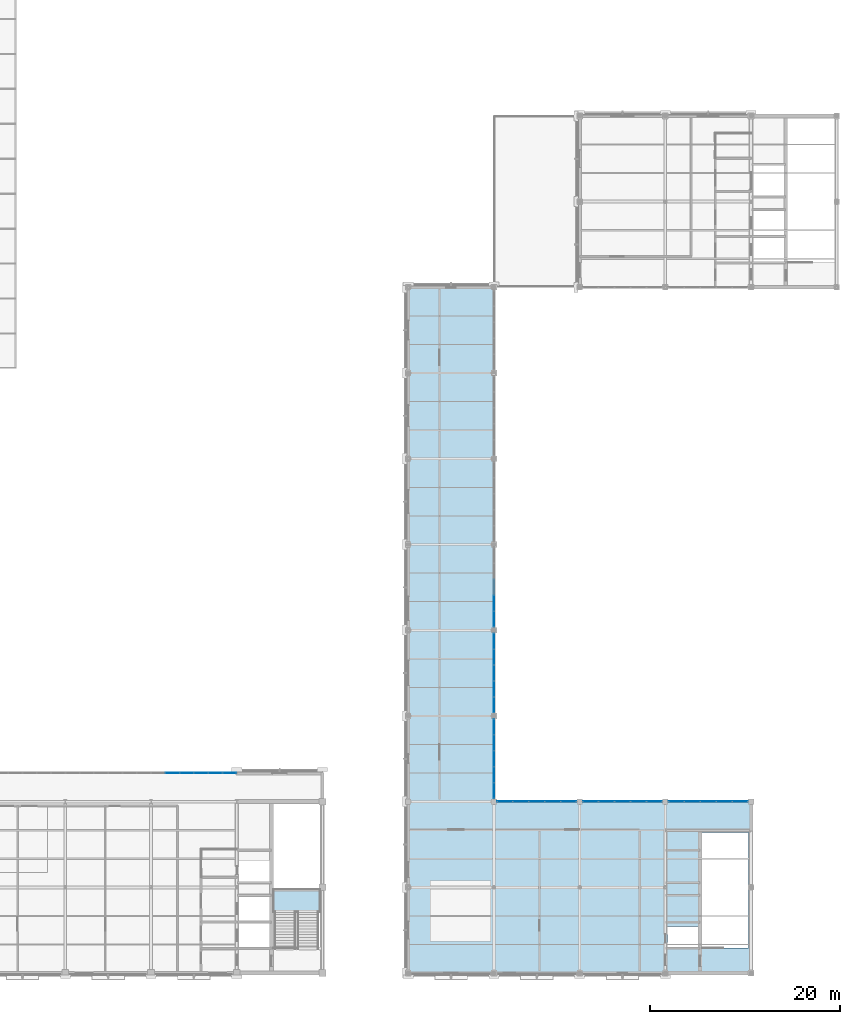
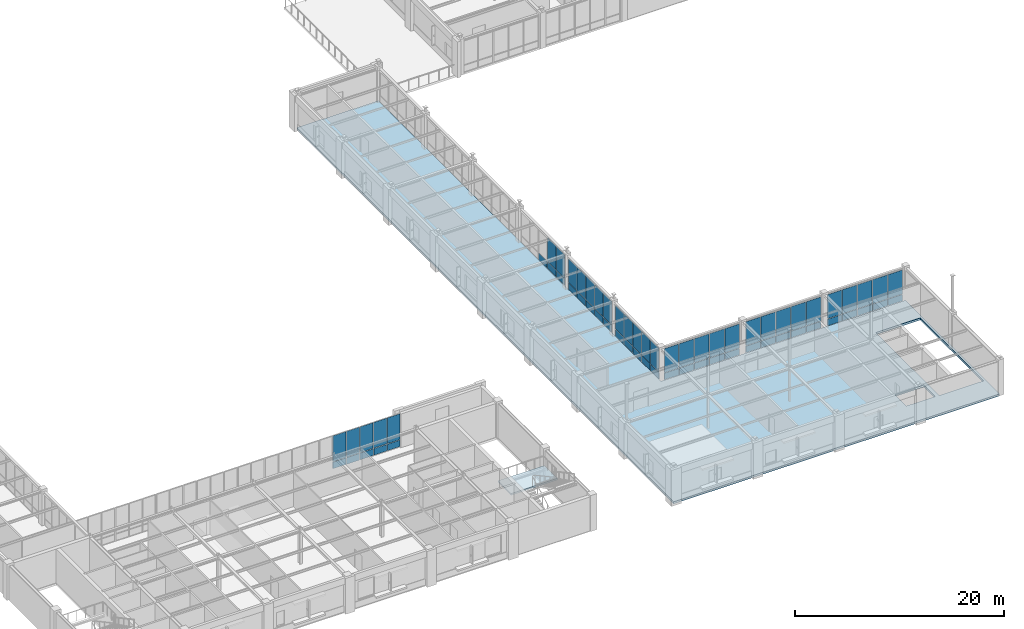
# One storey, part 74 of 97: 65 plates, 2 slabs, 1 opening, 8 elements without a shape of their own.
"""IFC4 building model written with IfcOpenShell, lengths in metres."""

from ifc_helpers import new_model, si_unit, direction, frame, origin, origin_2d, place, context, subcontext, project, spatial, polyline, rectangle, outline, extrude, material, layer, layer_set, type_object, element, aggregate, save


model = new_model("IFC4")

# Units and contexts
model_context = context("Model", 3, precision=1e-05, world=origin(), true_north=direction((0.0, 1.0)))
body_context = subcontext(model_context, "Body", "Model", "MODEL_VIEW")
ifc_project = project(units=[si_unit("LENGTHUNIT", "METRE"), si_unit("AREAUNIT", "SQUARE_METRE"), si_unit("VOLUMEUNIT", "CUBIC_METRE"), si_unit("PLANEANGLEUNIT", "RADIAN"), si_unit("MASSUNIT", "GRAM", prefix="KILO")], contexts=[model_context])

# Site, building, storey
site_placement = place(None, origin())
site = spatial("IfcSite", under=ifc_project, at=site_placement, CompositionType="ELEMENT")
building_placement = place(site_placement, origin())
building = spatial("IfcBuilding", under=site, at=building_placement, Name="Lykobir Media Centre", CompositionType="ELEMENT")
storey_placement = place(building_placement, frame((0.0, 0.0, 23.39990234375)))
storey = spatial("IfcBuildingStorey", under=building, at=storey_placement, Name="L05", CompositionType="ELEMENT", Elevation=23.39990234375)

# Curtain wall, plates
ifc_material_1 = material(Name="Anodized Aluminium AW-6060", Category="aluminium")
curtain_wall_type = type_object("IfcCurtainWallType", Name="CW-COURT-B", PredefinedType="NOTDEFINED", material=ifc_material_1)
curtain_wall_1_placement = place(storey_placement, origin())
curtain_wall_1 = element("IfcCurtainWall", 1, at=curtain_wall_1_placement, inside=storey, type_object=curtain_wall_type, Name="Curtain wall CW2-L05-0181", PredefinedType="NOTDEFINED")
ifc_material_2 = material(Name="Low-E Laminated Triple Glazing", Category="glass")
ifc_layer_1 = layer(ifc_material_2, 0.0380859375, Name="Low-E Laminated Triple Glazing")
ifc_layer_set_1 = layer_set([ifc_layer_1], Name="Low-E Laminated Triple Glazing")
plate_type_1 = type_object("IfcPlateType", Name="CWP-GLZ-38", PredefinedType="CURTAIN_PANEL", material=ifc_layer_set_1)
plate_1_placement = place(storey_placement, frame((99.0, 25.84228515625, 0.877685546875), z_axis=(0.0, 0.0, 1.0), x_axis=(0.0, -1.0, 0.0)))
plate_1 = element("IfcPlate", 2, at=plate_1_placement, type_object=plate_type_1, Name="CW2-L05-0181 panel 1.2", PredefinedType="CURTAIN_PANEL", context=body_context, shape_type="SweptSolid", body=[
    extrude(rectangle(XDim=1.595458984375, YDim=0.0380859375, at=origin_2d()), origin(), (0.0, 0.0, 1.0), 2.762451171875),
])
plate_2_placement = place(storey_placement, frame((99.0, 24.177978515625, 0.877685546875), z_axis=(0.0, 0.0, 1.0), x_axis=(0.0, -1.0, 0.0)))
plate_2 = element("IfcPlate", 3, at=plate_2_placement, type_object=plate_type_1, Name="CW2-L05-0181 panel 2.2", PredefinedType="CURTAIN_PANEL", context=body_context, shape_type="SweptSolid", body=[
    extrude(rectangle(XDim=1.623046875, YDim=0.0380859375, at=origin_2d()), origin(), (0.0, 0.0, 1.0), 2.762451171875),
])
plate_3_placement = place(storey_placement, frame((99.0, 22.5, 0.877685546875), z_axis=(0.0, 0.0, 1.0), x_axis=(0.0, -1.0, 0.0)))
plate_3 = element("IfcPlate", 4, at=plate_3_placement, type_object=plate_type_1, Name="CW2-L05-0181 panel 3.2", PredefinedType="CURTAIN_PANEL", context=body_context, shape_type="SweptSolid", body=[
    extrude(rectangle(XDim=1.623046875, YDim=0.0380859375, at=origin_2d()), origin(), (0.0, 0.0, 1.0), 2.762451171875),
])
plate_4_placement = place(storey_placement, frame((99.0, 20.822021484375, 0.877685546875), z_axis=(0.0, 0.0, 1.0), x_axis=(0.0, -1.0, 0.0)))
plate_4 = element("IfcPlate", 5, at=plate_4_placement, type_object=plate_type_1, Name="CW2-L05-0181 panel 4.2", PredefinedType="CURTAIN_PANEL", context=body_context, shape_type="SweptSolid", body=[
    extrude(rectangle(XDim=1.623046875, YDim=0.0380859375, at=origin_2d()), origin(), (0.0, 0.0, 1.0), 2.762451171875),
])
plate_5_placement = place(storey_placement, frame((99.0, 19.15771484375, 0.877685546875), z_axis=(0.0, 0.0, 1.0), x_axis=(0.0, -1.0, 0.0)))
plate_5 = element("IfcPlate", 6, at=plate_5_placement, type_object=plate_type_1, Name="CW2-L05-0181 panel 5.2", PredefinedType="CURTAIN_PANEL", context=body_context, shape_type="SweptSolid", body=[
    extrude(rectangle(XDim=1.595458984375, YDim=0.0380859375, at=origin_2d()), origin(), (0.0, 0.0, 1.0), 2.762451171875),
])

curtain_wall_2_placement = place(storey_placement, origin())
curtain_wall_2 = element("IfcCurtainWall", 7, at=curtain_wall_2_placement, inside=storey, type_object=curtain_wall_type, Name="Curtain wall CW2-L05-0182", PredefinedType="NOTDEFINED")
plate_6_placement = place(storey_placement, frame((99.0, 34.84228515625, 0.877685546875), z_axis=(0.0, 0.0, 1.0), x_axis=(0.0, -1.0, 0.0)))
plate_6 = element("IfcPlate", 8, at=plate_6_placement, type_object=plate_type_1, Name="CW2-L05-0182 panel 1.2", PredefinedType="CURTAIN_PANEL", context=body_context, shape_type="SweptSolid", body=[
    extrude(rectangle(XDim=1.595458984375, YDim=0.0380859375, at=origin_2d()), origin(), (0.0, 0.0, 1.0), 2.762451171875),
])
plate_7_placement = place(storey_placement, frame((99.0, 33.177978515625, 0.877685546875), z_axis=(0.0, 0.0, 1.0), x_axis=(0.0, -1.0, 0.0)))
plate_7 = element("IfcPlate", 9, at=plate_7_placement, type_object=plate_type_1, Name="CW2-L05-0182 panel 2.2", PredefinedType="CURTAIN_PANEL", context=body_context, shape_type="SweptSolid", body=[
    extrude(rectangle(XDim=1.623046875, YDim=0.0380859375, at=origin_2d()), origin(), (0.0, 0.0, 1.0), 2.762451171875),
])
plate_8_placement = place(storey_placement, frame((99.0, 31.5, 0.877685546875), z_axis=(0.0, 0.0, 1.0), x_axis=(0.0, -1.0, 0.0)))
plate_8 = element("IfcPlate", 10, at=plate_8_placement, type_object=plate_type_1, Name="CW2-L05-0182 panel 3.2", PredefinedType="CURTAIN_PANEL", context=body_context, shape_type="SweptSolid", body=[
    extrude(rectangle(XDim=1.623046875, YDim=0.0380859375, at=origin_2d()), origin(), (0.0, 0.0, 1.0), 2.762451171875),
])
plate_9_placement = place(storey_placement, frame((99.0, 29.822021484375, 0.877685546875), z_axis=(0.0, 0.0, 1.0), x_axis=(0.0, -1.0, 0.0)))
plate_9 = element("IfcPlate", 11, at=plate_9_placement, type_object=plate_type_1, Name="CW2-L05-0182 panel 4.2", PredefinedType="CURTAIN_PANEL", context=body_context, shape_type="SweptSolid", body=[
    extrude(rectangle(XDim=1.623046875, YDim=0.0380859375, at=origin_2d()), origin(), (0.0, 0.0, 1.0), 2.762451171875),
])
plate_10_placement = place(storey_placement, frame((99.0, 28.15771484375, 0.877685546875), z_axis=(0.0, 0.0, 1.0), x_axis=(0.0, -1.0, 0.0)))
plate_10 = element("IfcPlate", 12, at=plate_10_placement, type_object=plate_type_1, Name="CW2-L05-0182 panel 5.2", PredefinedType="CURTAIN_PANEL", context=body_context, shape_type="SweptSolid", body=[
    extrude(rectangle(XDim=1.595458984375, YDim=0.0380859375, at=origin_2d()), origin(), (0.0, 0.0, 1.0), 2.762451171875),
])

curtain_wall_3_placement = place(storey_placement, origin())
curtain_wall_3 = element("IfcCurtainWall", 13, at=curtain_wall_3_placement, inside=storey, type_object=curtain_wall_type, Name="Curtain wall CW2-L05-0183", PredefinedType="NOTDEFINED")
plate_11_placement = place(storey_placement, frame((99.0, 38.822021484375, 0.877685546875), z_axis=(0.0, 0.0, 1.0), x_axis=(0.0, -1.0, 0.0)))
plate_11 = element("IfcPlate", 14, at=plate_11_placement, type_object=plate_type_1, Name="CW2-L05-0183 panel 4.2", PredefinedType="CURTAIN_PANEL", context=body_context, shape_type="SweptSolid", body=[
    extrude(rectangle(XDim=1.623046875, YDim=0.0380859375, at=origin_2d()), origin(), (0.0, 0.0, 1.0), 2.762451171875),
])
plate_12_placement = place(storey_placement, frame((99.0, 37.15771484375, 0.877685546875), z_axis=(0.0, 0.0, 1.0), x_axis=(0.0, -1.0, 0.0)))
plate_12 = element("IfcPlate", 15, at=plate_12_placement, type_object=plate_type_1, Name="CW2-L05-0183 panel 5.2", PredefinedType="CURTAIN_PANEL", context=body_context, shape_type="SweptSolid", body=[
    extrude(rectangle(XDim=1.595458984375, YDim=0.0380859375, at=origin_2d()), origin(), (0.0, 0.0, 1.0), 2.762451171875),
])

curtain_wall_4_placement = place(storey_placement, origin())
curtain_wall_4 = element("IfcCurtainWall", 16, at=curtain_wall_4_placement, inside=storey, type_object=curtain_wall_type, Name="Curtain wall CW2-L05-0187", PredefinedType="NOTDEFINED")
plate_13_placement = place(storey_placement, frame((100.15771484375, 18.0, 0.877685546875), z_axis=(0.0, 0.0, 1.0), x_axis=(1.0, 0.0, 0.0)))
plate_13 = element("IfcPlate", 17, at=plate_13_placement, type_object=plate_type_1, Name="CW2-L05-0187 panel 1.2", PredefinedType="CURTAIN_PANEL", context=body_context, shape_type="SweptSolid", body=[
    extrude(rectangle(XDim=1.595458984375, YDim=0.0380859375, at=origin_2d()), origin(), (0.0, 0.0, 1.0), 2.802490234375),
])
plate_14_placement = place(storey_placement, frame((101.822021484375, 18.0, 0.877685546875), z_axis=(0.0, 0.0, 1.0), x_axis=(1.0, 0.0, 0.0)))
plate_14 = element("IfcPlate", 18, at=plate_14_placement, type_object=plate_type_1, Name="CW2-L05-0187 panel 2.2", PredefinedType="CURTAIN_PANEL", context=body_context, shape_type="SweptSolid", body=[
    extrude(rectangle(XDim=1.623046875, YDim=0.0380859375, at=origin_2d()), origin(), (0.0, 0.0, 1.0), 2.802490234375),
])
plate_15_placement = place(storey_placement, frame((103.5, 18.0, 0.877685546875), z_axis=(0.0, 0.0, 1.0), x_axis=(1.0, 0.0, 0.0)))
plate_15 = element("IfcPlate", 19, at=plate_15_placement, type_object=plate_type_1, Name="CW2-L05-0187 panel 3.2", PredefinedType="CURTAIN_PANEL", context=body_context, shape_type="SweptSolid", body=[
    extrude(rectangle(XDim=1.623046875, YDim=0.0380859375, at=origin_2d()), origin(), (0.0, 0.0, 1.0), 2.802490234375),
])
plate_16_placement = place(storey_placement, frame((105.177978515625, 18.0, 0.877685546875), z_axis=(0.0, 0.0, 1.0), x_axis=(1.0, 0.0, 0.0)))
plate_16 = element("IfcPlate", 20, at=plate_16_placement, type_object=plate_type_1, Name="CW2-L05-0187 panel 4.2", PredefinedType="CURTAIN_PANEL", context=body_context, shape_type="SweptSolid", body=[
    extrude(rectangle(XDim=1.623046875, YDim=0.0380859375, at=origin_2d()), origin(), (0.0, 0.0, 1.0), 2.802490234375),
])
plate_17_placement = place(storey_placement, frame((106.84228515625, 18.0, 0.877685546875), z_axis=(0.0, 0.0, 1.0), x_axis=(1.0, 0.0, 0.0)))
plate_17 = element("IfcPlate", 21, at=plate_17_placement, type_object=plate_type_1, Name="CW2-L05-0187 panel 5.2", PredefinedType="CURTAIN_PANEL", context=body_context, shape_type="SweptSolid", body=[
    extrude(rectangle(XDim=1.595458984375, YDim=0.0380859375, at=origin_2d()), origin(), (0.0, 0.0, 1.0), 2.802490234375),
])

curtain_wall_5_placement = place(storey_placement, origin())
curtain_wall_5 = element("IfcCurtainWall", 22, at=curtain_wall_5_placement, inside=storey, type_object=curtain_wall_type, Name="Curtain wall CW2-L05-0188", PredefinedType="NOTDEFINED")
plate_18_placement = place(storey_placement, frame((109.15771484375, 18.0, 0.877685546875), z_axis=(0.0, 0.0, 1.0), x_axis=(1.0, 0.0, 0.0)))
plate_18 = element("IfcPlate", 23, at=plate_18_placement, type_object=plate_type_1, Name="CW2-L05-0188 panel 1.2", PredefinedType="CURTAIN_PANEL", context=body_context, shape_type="SweptSolid", body=[
    extrude(rectangle(XDim=1.595458984375, YDim=0.0380859375, at=origin_2d()), origin(), (0.0, 0.0, 1.0), 2.802490234375),
])
plate_19_placement = place(storey_placement, frame((110.822021484375, 18.0, 0.877685546875), z_axis=(0.0, 0.0, 1.0), x_axis=(1.0, 0.0, 0.0)))
plate_19 = element("IfcPlate", 24, at=plate_19_placement, type_object=plate_type_1, Name="CW2-L05-0188 panel 2.2", PredefinedType="CURTAIN_PANEL", context=body_context, shape_type="SweptSolid", body=[
    extrude(rectangle(XDim=1.623046875, YDim=0.0380859375, at=origin_2d()), origin(), (0.0, 0.0, 1.0), 2.802490234375),
])
plate_20_placement = place(storey_placement, frame((112.5, 18.0, 0.877685546875), z_axis=(0.0, 0.0, 1.0), x_axis=(1.0, 0.0, 0.0)))
plate_20 = element("IfcPlate", 25, at=plate_20_placement, type_object=plate_type_1, Name="CW2-L05-0188 panel 3.2", PredefinedType="CURTAIN_PANEL", context=body_context, shape_type="SweptSolid", body=[
    extrude(rectangle(XDim=1.623046875, YDim=0.0380859375, at=origin_2d()), origin(), (0.0, 0.0, 1.0), 2.802490234375),
])
plate_21_placement = place(storey_placement, frame((114.177978515625, 18.0, 0.877685546875), z_axis=(0.0, 0.0, 1.0), x_axis=(1.0, 0.0, 0.0)))
plate_21 = element("IfcPlate", 26, at=plate_21_placement, type_object=plate_type_1, Name="CW2-L05-0188 panel 4.2", PredefinedType="CURTAIN_PANEL", context=body_context, shape_type="SweptSolid", body=[
    extrude(rectangle(XDim=1.623046875, YDim=0.0380859375, at=origin_2d()), origin(), (0.0, 0.0, 1.0), 2.802490234375),
])
plate_22_placement = place(storey_placement, frame((115.84228515625, 18.0, 0.877685546875), z_axis=(0.0, 0.0, 1.0), x_axis=(1.0, 0.0, 0.0)))
plate_22 = element("IfcPlate", 27, at=plate_22_placement, type_object=plate_type_1, Name="CW2-L05-0188 panel 5.2", PredefinedType="CURTAIN_PANEL", context=body_context, shape_type="SweptSolid", body=[
    extrude(rectangle(XDim=1.595458984375, YDim=0.0380859375, at=origin_2d()), origin(), (0.0, 0.0, 1.0), 2.802490234375),
])

curtain_wall_6_placement = place(storey_placement, origin())
curtain_wall_6 = element("IfcCurtainWall", 28, at=curtain_wall_6_placement, inside=storey, type_object=curtain_wall_type, Name="Curtain wall CW2-L05-0189", PredefinedType="NOTDEFINED")
plate_23_placement = place(storey_placement, frame((118.15771484375, 18.0, 0.877685546875), z_axis=(0.0, 0.0, 1.0), x_axis=(1.0, 0.0, 0.0)))
plate_23 = element("IfcPlate", 29, at=plate_23_placement, type_object=plate_type_1, Name="CW2-L05-0189 panel 1.2", PredefinedType="CURTAIN_PANEL", context=body_context, shape_type="SweptSolid", body=[
    extrude(rectangle(XDim=1.595458984375, YDim=0.0380859375, at=origin_2d()), origin(), (0.0, 0.0, 1.0), 2.802490234375),
])
plate_24_placement = place(storey_placement, frame((119.822021484375, 18.0, 0.877685546875), z_axis=(0.0, 0.0, 1.0), x_axis=(1.0, 0.0, 0.0)))
plate_24 = element("IfcPlate", 30, at=plate_24_placement, type_object=plate_type_1, Name="CW2-L05-0189 panel 2.2", PredefinedType="CURTAIN_PANEL", context=body_context, shape_type="SweptSolid", body=[
    extrude(rectangle(XDim=1.623046875, YDim=0.0380859375, at=origin_2d()), origin(), (0.0, 0.0, 1.0), 2.802490234375),
])
plate_25_placement = place(storey_placement, frame((121.5, 18.0, 0.877685546875), z_axis=(0.0, 0.0, 1.0), x_axis=(1.0, 0.0, 0.0)))
plate_25 = element("IfcPlate", 31, at=plate_25_placement, type_object=plate_type_1, Name="CW2-L05-0189 panel 3.2", PredefinedType="CURTAIN_PANEL", context=body_context, shape_type="SweptSolid", body=[
    extrude(rectangle(XDim=1.623046875, YDim=0.0380859375, at=origin_2d()), origin(), (0.0, 0.0, 1.0), 2.802490234375),
])
plate_26_placement = place(storey_placement, frame((123.177978515625, 18.0, 0.877685546875), z_axis=(0.0, 0.0, 1.0), x_axis=(1.0, 0.0, 0.0)))
plate_26 = element("IfcPlate", 32, at=plate_26_placement, type_object=plate_type_1, Name="CW2-L05-0189 panel 4.2", PredefinedType="CURTAIN_PANEL", context=body_context, shape_type="SweptSolid", body=[
    extrude(rectangle(XDim=1.623046875, YDim=0.0380859375, at=origin_2d()), origin(), (0.0, 0.0, 1.0), 2.802490234375),
])
plate_27_placement = place(storey_placement, frame((124.84228515625, 18.0, 0.877685546875), z_axis=(0.0, 0.0, 1.0), x_axis=(1.0, 0.0, 0.0)))
plate_27 = element("IfcPlate", 33, at=plate_27_placement, type_object=plate_type_1, Name="CW2-L05-0189 panel 5.2", PredefinedType="CURTAIN_PANEL", context=body_context, shape_type="SweptSolid", body=[
    extrude(rectangle(XDim=1.595458984375, YDim=0.0380859375, at=origin_2d()), origin(), (0.0, 0.0, 1.0), 2.802490234375),
])

curtain_wall_7_placement = place(storey_placement, origin())
curtain_wall_7 = element("IfcCurtainWall", 34, at=curtain_wall_7_placement, inside=storey, type_object=curtain_wall_type, Name="Curtain wall CW2-L05-0193", PredefinedType="NOTDEFINED")
plate_28_placement = place(storey_placement, frame((65.25, 21.0, 0.877685546875), z_axis=(0.0, 0.0, 1.0), x_axis=(1.0, 0.0, 0.0)))
plate_28 = element("IfcPlate", 35, at=plate_28_placement, type_object=plate_type_1, Name="CW2-L05-0193 panel 2.2", PredefinedType="CURTAIN_PANEL", context=body_context, shape_type="SweptSolid", body=[
    extrude(rectangle(XDim=1.445068359375, YDim=0.0380859375, at=origin_2d()), origin(), (0.0, 0.0, 1.0), 3.007568359375),
])
plate_29_placement = place(storey_placement, frame((66.75, 21.0, 0.877685546875), z_axis=(0.0, 0.0, 1.0), x_axis=(1.0, 0.0, 0.0)))
plate_29 = element("IfcPlate", 36, at=plate_29_placement, type_object=plate_type_1, Name="CW2-L05-0193 panel 3.2", PredefinedType="CURTAIN_PANEL", context=body_context, shape_type="SweptSolid", body=[
    extrude(rectangle(XDim=1.445068359375, YDim=0.0380859375, at=origin_2d()), origin(), (0.0, 0.0, 1.0), 3.007568359375),
])
plate_30_placement = place(storey_placement, frame((68.25, 21.0, 0.877685546875), z_axis=(0.0, 0.0, 1.0), x_axis=(1.0, 0.0, 0.0)))
plate_30 = element("IfcPlate", 37, at=plate_30_placement, type_object=plate_type_1, Name="CW2-L05-0193 panel 4.2", PredefinedType="CURTAIN_PANEL", context=body_context, shape_type="SweptSolid", body=[
    extrude(rectangle(XDim=1.445068359375, YDim=0.0380859375, at=origin_2d()), origin(), (0.0, 0.0, 1.0), 3.007568359375),
])
plate_31_placement = place(storey_placement, frame((69.75, 21.0, 0.877685546875), z_axis=(0.0, 0.0, 1.0), x_axis=(1.0, 0.0, 0.0)))
plate_31 = element("IfcPlate", 38, at=plate_31_placement, type_object=plate_type_1, Name="CW2-L05-0193 panel 5.2", PredefinedType="CURTAIN_PANEL", context=body_context, shape_type="SweptSolid", body=[
    extrude(rectangle(XDim=1.445068359375, YDim=0.0380859375, at=origin_2d()), origin(), (0.0, 0.0, 1.0), 3.007568359375),
])
plate_32_placement = place(storey_placement, frame((71.236083984375, 21.0, 0.877685546875), z_axis=(0.0, 0.0, 1.0), x_axis=(1.0, 0.0, 0.0)))
plate_32 = element("IfcPlate", 39, at=plate_32_placement, type_object=plate_type_1, Name="CW2-L05-0193 panel 6.2", PredefinedType="CURTAIN_PANEL", context=body_context, shape_type="SweptSolid", body=[
    extrude(rectangle(XDim=1.41748046875, YDim=0.0380859375, at=origin_2d()), origin(), (0.0, 0.0, 1.0), 3.007568359375),
])

# Plate
ifc_material_3 = material(Name="Pre-Weathered Titanium-Zinc", Category="metal")
ifc_layer_2 = layer(ifc_material_3, 0.052001953125, Name="Pre-Weathered Titanium-Zinc")
ifc_layer_set_2 = layer_set([ifc_layer_2], Name="Pre-Weathered Titanium-Zinc")
plate_type_2 = type_object("IfcPlateType", Name="CWP-SPN-52", PredefinedType="CURTAIN_PANEL", material=ifc_layer_set_2)
plate_33_placement = place(storey_placement, frame((99.0, 25.84228515625, 0.05517578125), z_axis=(0.0, 0.0, 1.0), x_axis=(0.0, -1.0, 0.0)))
plate_33 = element("IfcPlate", 40, at=plate_33_placement, type_object=plate_type_2, Name="CW2-L05-0181 panel 1.1", PredefinedType="CURTAIN_PANEL", context=body_context, shape_type="SweptSolid", body=[
    extrude(rectangle(XDim=1.595458984375, YDim=0.052001953125, at=origin_2d()), origin(), (0.0, 0.0, 1.0), 0.767578125),
])

plate_34_placement = place(storey_placement, frame((99.0, 24.177978515625, 0.05517578125), z_axis=(0.0, 0.0, 1.0), x_axis=(0.0, -1.0, 0.0)))
plate_34 = element("IfcPlate", 41, at=plate_34_placement, type_object=plate_type_2, Name="CW2-L05-0181 panel 2.1", PredefinedType="CURTAIN_PANEL", context=body_context, shape_type="SweptSolid", body=[
    extrude(rectangle(XDim=1.623046875, YDim=0.052001953125, at=origin_2d()), origin(), (0.0, 0.0, 1.0), 0.767578125),
])

plate_35_placement = place(storey_placement, frame((99.0, 22.5, 0.05517578125), z_axis=(0.0, 0.0, 1.0), x_axis=(0.0, -1.0, 0.0)))
plate_35 = element("IfcPlate", 42, at=plate_35_placement, type_object=plate_type_2, Name="CW2-L05-0181 panel 3.1", PredefinedType="CURTAIN_PANEL", context=body_context, shape_type="SweptSolid", body=[
    extrude(rectangle(XDim=1.623046875, YDim=0.052001953125, at=origin_2d()), origin(), (0.0, 0.0, 1.0), 0.767578125),
])

plate_36_placement = place(storey_placement, frame((99.0, 20.822021484375, 0.05517578125), z_axis=(0.0, 0.0, 1.0), x_axis=(0.0, -1.0, 0.0)))
plate_36 = element("IfcPlate", 43, at=plate_36_placement, type_object=plate_type_2, Name="CW2-L05-0181 panel 4.1", PredefinedType="CURTAIN_PANEL", context=body_context, shape_type="SweptSolid", body=[
    extrude(rectangle(XDim=1.623046875, YDim=0.052001953125, at=origin_2d()), origin(), (0.0, 0.0, 1.0), 0.767578125),
])

plate_37_placement = place(storey_placement, frame((99.0, 19.15771484375, 0.05517578125), z_axis=(0.0, 0.0, 1.0), x_axis=(0.0, -1.0, 0.0)))
plate_37 = element("IfcPlate", 44, at=plate_37_placement, type_object=plate_type_2, Name="CW2-L05-0181 panel 5.1", PredefinedType="CURTAIN_PANEL", context=body_context, shape_type="SweptSolid", body=[
    extrude(rectangle(XDim=1.595458984375, YDim=0.052001953125, at=origin_2d()), origin(), (0.0, 0.0, 1.0), 0.767578125),
])

aggregate(curtain_wall_1, [plate_33, plate_1, plate_34, plate_2, plate_35, plate_3, plate_36, plate_4, plate_37, plate_5])

plate_38_placement = place(storey_placement, frame((99.0, 34.84228515625, 0.05517578125), z_axis=(0.0, 0.0, 1.0), x_axis=(0.0, -1.0, 0.0)))
plate_38 = element("IfcPlate", 45, at=plate_38_placement, type_object=plate_type_2, Name="CW2-L05-0182 panel 1.1", PredefinedType="CURTAIN_PANEL", context=body_context, shape_type="SweptSolid", body=[
    extrude(rectangle(XDim=1.595458984375, YDim=0.052001953125, at=origin_2d()), origin(), (0.0, 0.0, 1.0), 0.767578125),
])

plate_39_placement = place(storey_placement, frame((99.0, 33.177978515625, 0.05517578125), z_axis=(0.0, 0.0, 1.0), x_axis=(0.0, -1.0, 0.0)))
plate_39 = element("IfcPlate", 46, at=plate_39_placement, type_object=plate_type_2, Name="CW2-L05-0182 panel 2.1", PredefinedType="CURTAIN_PANEL", context=body_context, shape_type="SweptSolid", body=[
    extrude(rectangle(XDim=1.623046875, YDim=0.052001953125, at=origin_2d()), origin(), (0.0, 0.0, 1.0), 0.767578125),
])

plate_40_placement = place(storey_placement, frame((99.0, 31.5, 0.05517578125), z_axis=(0.0, 0.0, 1.0), x_axis=(0.0, -1.0, 0.0)))
plate_40 = element("IfcPlate", 47, at=plate_40_placement, type_object=plate_type_2, Name="CW2-L05-0182 panel 3.1", PredefinedType="CURTAIN_PANEL", context=body_context, shape_type="SweptSolid", body=[
    extrude(rectangle(XDim=1.623046875, YDim=0.052001953125, at=origin_2d()), origin(), (0.0, 0.0, 1.0), 0.767578125),
])

plate_41_placement = place(storey_placement, frame((99.0, 29.822021484375, 0.05517578125), z_axis=(0.0, 0.0, 1.0), x_axis=(0.0, -1.0, 0.0)))
plate_41 = element("IfcPlate", 48, at=plate_41_placement, type_object=plate_type_2, Name="CW2-L05-0182 panel 4.1", PredefinedType="CURTAIN_PANEL", context=body_context, shape_type="SweptSolid", body=[
    extrude(rectangle(XDim=1.623046875, YDim=0.052001953125, at=origin_2d()), origin(), (0.0, 0.0, 1.0), 0.767578125),
])

plate_42_placement = place(storey_placement, frame((99.0, 28.15771484375, 0.05517578125), z_axis=(0.0, 0.0, 1.0), x_axis=(0.0, -1.0, 0.0)))
plate_42 = element("IfcPlate", 49, at=plate_42_placement, type_object=plate_type_2, Name="CW2-L05-0182 panel 5.1", PredefinedType="CURTAIN_PANEL", context=body_context, shape_type="SweptSolid", body=[
    extrude(rectangle(XDim=1.595458984375, YDim=0.052001953125, at=origin_2d()), origin(), (0.0, 0.0, 1.0), 0.767578125),
])

aggregate(curtain_wall_2, [plate_38, plate_6, plate_39, plate_7, plate_40, plate_8, plate_41, plate_9, plate_42, plate_10])

plate_43_placement = place(storey_placement, frame((99.0, 40.5, 0.05517578125), z_axis=(0.0, 0.0, 1.0), x_axis=(0.0, -1.0, 0.0)))
plate_43 = element("IfcPlate", 50, at=plate_43_placement, type_object=plate_type_2, Name="CW2-L05-0183 panel 3.1", PredefinedType="CURTAIN_PANEL", context=body_context, shape_type="SweptSolid", body=[
    extrude(rectangle(XDim=1.623046875, YDim=0.052001953125, at=origin_2d()), origin(), (0.0, 0.0, 1.0), 0.767578125),
])

plate_44_placement = place(storey_placement, frame((99.0, 38.822021484375, 0.05517578125), z_axis=(0.0, 0.0, 1.0), x_axis=(0.0, -1.0, 0.0)))
plate_44 = element("IfcPlate", 51, at=plate_44_placement, type_object=plate_type_2, Name="CW2-L05-0183 panel 4.1", PredefinedType="CURTAIN_PANEL", context=body_context, shape_type="SweptSolid", body=[
    extrude(rectangle(XDim=1.623046875, YDim=0.052001953125, at=origin_2d()), origin(), (0.0, 0.0, 1.0), 0.767578125),
])

plate_45_placement = place(storey_placement, frame((99.0, 37.15771484375, 0.05517578125), z_axis=(0.0, 0.0, 1.0), x_axis=(0.0, -1.0, 0.0)))
plate_45 = element("IfcPlate", 52, at=plate_45_placement, type_object=plate_type_2, Name="CW2-L05-0183 panel 5.1", PredefinedType="CURTAIN_PANEL", context=body_context, shape_type="SweptSolid", body=[
    extrude(rectangle(XDim=1.595458984375, YDim=0.052001953125, at=origin_2d()), origin(), (0.0, 0.0, 1.0), 0.767578125),
])

aggregate(curtain_wall_3, [plate_43, plate_44, plate_11, plate_45, plate_12])

plate_46_placement = place(storey_placement, frame((100.15771484375, 18.0, 0.05517578125), z_axis=(0.0, 0.0, 1.0), x_axis=(1.0, 0.0, 0.0)))
plate_46 = element("IfcPlate", 53, at=plate_46_placement, type_object=plate_type_2, Name="CW2-L05-0187 panel 1.1", PredefinedType="CURTAIN_PANEL", context=body_context, shape_type="SweptSolid", body=[
    extrude(rectangle(XDim=1.595458984375, YDim=0.052001953125, at=origin_2d()), origin(), (0.0, 0.0, 1.0), 0.767578125),
])

plate_47_placement = place(storey_placement, frame((101.822021484375, 18.0, 0.05517578125), z_axis=(0.0, 0.0, 1.0), x_axis=(1.0, 0.0, 0.0)))
plate_47 = element("IfcPlate", 54, at=plate_47_placement, type_object=plate_type_2, Name="CW2-L05-0187 panel 2.1", PredefinedType="CURTAIN_PANEL", context=body_context, shape_type="SweptSolid", body=[
    extrude(rectangle(XDim=1.623046875, YDim=0.052001953125, at=origin_2d()), origin(), (0.0, 0.0, 1.0), 0.767578125),
])

plate_48_placement = place(storey_placement, frame((103.5, 18.0, 0.05517578125), z_axis=(0.0, 0.0, 1.0), x_axis=(1.0, 0.0, 0.0)))
plate_48 = element("IfcPlate", 55, at=plate_48_placement, type_object=plate_type_2, Name="CW2-L05-0187 panel 3.1", PredefinedType="CURTAIN_PANEL", context=body_context, shape_type="SweptSolid", body=[
    extrude(rectangle(XDim=1.623046875, YDim=0.052001953125, at=origin_2d()), origin(), (0.0, 0.0, 1.0), 0.767578125),
])

plate_49_placement = place(storey_placement, frame((105.177978515625, 18.0, 0.05517578125), z_axis=(0.0, 0.0, 1.0), x_axis=(1.0, 0.0, 0.0)))
plate_49 = element("IfcPlate", 56, at=plate_49_placement, type_object=plate_type_2, Name="CW2-L05-0187 panel 4.1", PredefinedType="CURTAIN_PANEL", context=body_context, shape_type="SweptSolid", body=[
    extrude(rectangle(XDim=1.623046875, YDim=0.052001953125, at=origin_2d()), origin(), (0.0, 0.0, 1.0), 0.767578125),
])

plate_50_placement = place(storey_placement, frame((106.84228515625, 18.0, 0.05517578125), z_axis=(0.0, 0.0, 1.0), x_axis=(1.0, 0.0, 0.0)))
plate_50 = element("IfcPlate", 57, at=plate_50_placement, type_object=plate_type_2, Name="CW2-L05-0187 panel 5.1", PredefinedType="CURTAIN_PANEL", context=body_context, shape_type="SweptSolid", body=[
    extrude(rectangle(XDim=1.595458984375, YDim=0.052001953125, at=origin_2d()), origin(), (0.0, 0.0, 1.0), 0.767578125),
])

aggregate(curtain_wall_4, [plate_46, plate_13, plate_47, plate_14, plate_48, plate_15, plate_49, plate_16, plate_50, plate_17])

plate_51_placement = place(storey_placement, frame((109.15771484375, 18.0, 0.05517578125), z_axis=(0.0, 0.0, 1.0), x_axis=(1.0, 0.0, 0.0)))
plate_51 = element("IfcPlate", 58, at=plate_51_placement, type_object=plate_type_2, Name="CW2-L05-0188 panel 1.1", PredefinedType="CURTAIN_PANEL", context=body_context, shape_type="SweptSolid", body=[
    extrude(rectangle(XDim=1.595458984375, YDim=0.052001953125, at=origin_2d()), origin(), (0.0, 0.0, 1.0), 0.767578125),
])

plate_52_placement = place(storey_placement, frame((110.822021484375, 18.0, 0.05517578125), z_axis=(0.0, 0.0, 1.0), x_axis=(1.0, 0.0, 0.0)))
plate_52 = element("IfcPlate", 59, at=plate_52_placement, type_object=plate_type_2, Name="CW2-L05-0188 panel 2.1", PredefinedType="CURTAIN_PANEL", context=body_context, shape_type="SweptSolid", body=[
    extrude(rectangle(XDim=1.623046875, YDim=0.052001953125, at=origin_2d()), origin(), (0.0, 0.0, 1.0), 0.767578125),
])

plate_53_placement = place(storey_placement, frame((112.5, 18.0, 0.05517578125), z_axis=(0.0, 0.0, 1.0), x_axis=(1.0, 0.0, 0.0)))
plate_53 = element("IfcPlate", 60, at=plate_53_placement, type_object=plate_type_2, Name="CW2-L05-0188 panel 3.1", PredefinedType="CURTAIN_PANEL", context=body_context, shape_type="SweptSolid", body=[
    extrude(rectangle(XDim=1.623046875, YDim=0.052001953125, at=origin_2d()), origin(), (0.0, 0.0, 1.0), 0.767578125),
])

plate_54_placement = place(storey_placement, frame((114.177978515625, 18.0, 0.05517578125), z_axis=(0.0, 0.0, 1.0), x_axis=(1.0, 0.0, 0.0)))
plate_54 = element("IfcPlate", 61, at=plate_54_placement, type_object=plate_type_2, Name="CW2-L05-0188 panel 4.1", PredefinedType="CURTAIN_PANEL", context=body_context, shape_type="SweptSolid", body=[
    extrude(rectangle(XDim=1.623046875, YDim=0.052001953125, at=origin_2d()), origin(), (0.0, 0.0, 1.0), 0.767578125),
])

plate_55_placement = place(storey_placement, frame((115.84228515625, 18.0, 0.05517578125), z_axis=(0.0, 0.0, 1.0), x_axis=(1.0, 0.0, 0.0)))
plate_55 = element("IfcPlate", 62, at=plate_55_placement, type_object=plate_type_2, Name="CW2-L05-0188 panel 5.1", PredefinedType="CURTAIN_PANEL", context=body_context, shape_type="SweptSolid", body=[
    extrude(rectangle(XDim=1.595458984375, YDim=0.052001953125, at=origin_2d()), origin(), (0.0, 0.0, 1.0), 0.767578125),
])

aggregate(curtain_wall_5, [plate_51, plate_18, plate_52, plate_19, plate_53, plate_20, plate_54, plate_21, plate_55, plate_22])

plate_56_placement = place(storey_placement, frame((118.15771484375, 18.0, 0.05517578125), z_axis=(0.0, 0.0, 1.0), x_axis=(1.0, 0.0, 0.0)))
plate_56 = element("IfcPlate", 63, at=plate_56_placement, type_object=plate_type_2, Name="CW2-L05-0189 panel 1.1", PredefinedType="CURTAIN_PANEL", context=body_context, shape_type="SweptSolid", body=[
    extrude(rectangle(XDim=1.595458984375, YDim=0.052001953125, at=origin_2d()), origin(), (0.0, 0.0, 1.0), 0.767578125),
])

plate_57_placement = place(storey_placement, frame((119.822021484375, 18.0, 0.05517578125), z_axis=(0.0, 0.0, 1.0), x_axis=(1.0, 0.0, 0.0)))
plate_57 = element("IfcPlate", 64, at=plate_57_placement, type_object=plate_type_2, Name="CW2-L05-0189 panel 2.1", PredefinedType="CURTAIN_PANEL", context=body_context, shape_type="SweptSolid", body=[
    extrude(rectangle(XDim=1.623046875, YDim=0.052001953125, at=origin_2d()), origin(), (0.0, 0.0, 1.0), 0.767578125),
])

plate_58_placement = place(storey_placement, frame((121.5, 18.0, 0.05517578125), z_axis=(0.0, 0.0, 1.0), x_axis=(1.0, 0.0, 0.0)))
plate_58 = element("IfcPlate", 65, at=plate_58_placement, type_object=plate_type_2, Name="CW2-L05-0189 panel 3.1", PredefinedType="CURTAIN_PANEL", context=body_context, shape_type="SweptSolid", body=[
    extrude(rectangle(XDim=1.623046875, YDim=0.052001953125, at=origin_2d()), origin(), (0.0, 0.0, 1.0), 0.767578125),
])

plate_59_placement = place(storey_placement, frame((123.177978515625, 18.0, 0.05517578125), z_axis=(0.0, 0.0, 1.0), x_axis=(1.0, 0.0, 0.0)))
plate_59 = element("IfcPlate", 66, at=plate_59_placement, type_object=plate_type_2, Name="CW2-L05-0189 panel 4.1", PredefinedType="CURTAIN_PANEL", context=body_context, shape_type="SweptSolid", body=[
    extrude(rectangle(XDim=1.623046875, YDim=0.052001953125, at=origin_2d()), origin(), (0.0, 0.0, 1.0), 0.767578125),
])

plate_60_placement = place(storey_placement, frame((124.84228515625, 18.0, 0.05517578125), z_axis=(0.0, 0.0, 1.0), x_axis=(1.0, 0.0, 0.0)))
plate_60 = element("IfcPlate", 67, at=plate_60_placement, type_object=plate_type_2, Name="CW2-L05-0189 panel 5.1", PredefinedType="CURTAIN_PANEL", context=body_context, shape_type="SweptSolid", body=[
    extrude(rectangle(XDim=1.595458984375, YDim=0.052001953125, at=origin_2d()), origin(), (0.0, 0.0, 1.0), 0.767578125),
])

aggregate(curtain_wall_6, [plate_56, plate_23, plate_57, plate_24, plate_58, plate_25, plate_59, plate_26, plate_60, plate_27])

plate_61_placement = place(storey_placement, frame((65.25, 21.0, 0.05517578125), z_axis=(0.0, 0.0, 1.0), x_axis=(1.0, 0.0, 0.0)))
plate_61 = element("IfcPlate", 68, at=plate_61_placement, type_object=plate_type_2, Name="CW2-L05-0193 panel 2.1", PredefinedType="CURTAIN_PANEL", context=body_context, shape_type="SweptSolid", body=[
    extrude(rectangle(XDim=1.445068359375, YDim=0.052001953125, at=origin_2d()), origin(), (0.0, 0.0, 1.0), 0.767578125),
])

plate_62_placement = place(storey_placement, frame((66.75, 21.0, 0.05517578125), z_axis=(0.0, 0.0, 1.0), x_axis=(1.0, 0.0, 0.0)))
plate_62 = element("IfcPlate", 69, at=plate_62_placement, type_object=plate_type_2, Name="CW2-L05-0193 panel 3.1", PredefinedType="CURTAIN_PANEL", context=body_context, shape_type="SweptSolid", body=[
    extrude(rectangle(XDim=1.445068359375, YDim=0.052001953125, at=origin_2d()), origin(), (0.0, 0.0, 1.0), 0.767578125),
])

plate_63_placement = place(storey_placement, frame((68.25, 21.0, 0.05517578125), z_axis=(0.0, 0.0, 1.0), x_axis=(1.0, 0.0, 0.0)))
plate_63 = element("IfcPlate", 70, at=plate_63_placement, type_object=plate_type_2, Name="CW2-L05-0193 panel 4.1", PredefinedType="CURTAIN_PANEL", context=body_context, shape_type="SweptSolid", body=[
    extrude(rectangle(XDim=1.445068359375, YDim=0.052001953125, at=origin_2d()), origin(), (0.0, 0.0, 1.0), 0.767578125),
])

plate_64_placement = place(storey_placement, frame((69.75, 21.0, 0.05517578125), z_axis=(0.0, 0.0, 1.0), x_axis=(1.0, 0.0, 0.0)))
plate_64 = element("IfcPlate", 71, at=plate_64_placement, type_object=plate_type_2, Name="CW2-L05-0193 panel 5.1", PredefinedType="CURTAIN_PANEL", context=body_context, shape_type="SweptSolid", body=[
    extrude(rectangle(XDim=1.445068359375, YDim=0.052001953125, at=origin_2d()), origin(), (0.0, 0.0, 1.0), 0.767578125),
])

plate_65_placement = place(storey_placement, frame((71.236083984375, 21.0, 0.05517578125), z_axis=(0.0, 0.0, 1.0), x_axis=(1.0, 0.0, 0.0)))
plate_65 = element("IfcPlate", 72, at=plate_65_placement, type_object=plate_type_2, Name="CW2-L05-0193 panel 6.1", PredefinedType="CURTAIN_PANEL", context=body_context, shape_type="SweptSolid", body=[
    extrude(rectangle(XDim=1.41748046875, YDim=0.052001953125, at=origin_2d()), origin(), (0.0, 0.0, 1.0), 0.767578125),
])

aggregate(curtain_wall_7, [plate_61, plate_28, plate_62, plate_29, plate_63, plate_30, plate_64, plate_31, plate_65, plate_32])

# Slab, opening
ifc_material_4 = material(Name="Concrete C30/37", Category="concrete")
ifc_layer_3 = layer(ifc_material_4, 0.239990234375, Name="Concrete C30/37")
ifc_layer_set_3 = layer_set([ifc_layer_3], Name="Concrete C30/37")
slab_type_1 = type_object("IfcSlabType", Name="FS-240", PredefinedType="FLOOR", material=ifc_layer_set_3)
slab_1_placement = place(storey_placement, frame((0.0, 0.0, -0.239990234375)))
slab_1 = element("IfcSlab", 73, at=slab_1_placement, inside=storey, type_object=slab_type_1, Name="L05 structural slab 2", PredefinedType="FLOOR", context=body_context, shape_type="SweptSolid", body=[
    extrude(outline(polyline([(99.0, 18.0), (99.0, 72.0), (90.0, 72.0), (90.0, 18.0), (90.0, 0.0), (126.0, 0.0), (126.0, 18.0), (99.0, 18.0)]), holes=[polyline([(125.75, 2.64990234375), (120.85009765625, 2.64990234375), (120.85009765625, 14.75), (125.75, 14.75), (125.75, 2.64990234375)])]), origin(), (0.0, 0.0, 1.0), 0.239990234375),
])
opening_placement = place(slab_1_placement, frame((118.85009765625, 3.800048828125, 0.0)))
element("IfcOpeningElement", 74, at=opening_placement, cuts=slab_1, Name="Shaft opening C5-riser_shaft-L05", PredefinedType="OPENING", context=body_context, shape_type="SweptSolid", body=[
    extrude(rectangle(XDim=3.199951171875, YDim=2.199951171875, at=origin_2d()), origin(), (0.0, 0.0, 1.0), 0.239990234375),
])

# Stair, slab
stair_type = type_object("IfcStairType", Name="ST-HT-420", PredefinedType="HALF_TURN_STAIR", material=ifc_material_4)
stair_placement = place(storey_placement, origin())
stair = element("IfcStair", 75, at=stair_placement, inside=storey, type_object=stair_type, Name="Escape stair ST-2 L05", PredefinedType="HALF_TURN_STAIR")
ifc_layer_4 = layer(ifc_material_4, 0.195068359375, Name="Concrete C30/37")
ifc_layer_set_4 = layer_set([ifc_layer_4], Name="Concrete C30/37")
slab_type_2 = type_object("IfcSlabType", Name="SL-195", PredefinedType="LANDING", material=ifc_layer_set_4)
slab_2_placement = place(storey_placement, frame((0.0, 0.0, 1.905029296875)))
slab_2 = element("IfcSlab", 76, at=slab_2_placement, type_object=slab_type_2, Name="ST-2-L05 landing 1", PredefinedType="LANDING", context=body_context, shape_type="SweptSolid", body=[
    extrude(outline(polyline([(75.72998046875, 6.35009765625), (80.8701171875, 6.35009765625), (80.8701171875, 8.830078125), (75.72998046875, 8.830078125), (75.72998046875, 6.35009765625)])), origin(), (0.0, 0.0, 1.0), 0.195068359375),
])
aggregate(stair, [slab_2])

save(model, "model.ifc")
